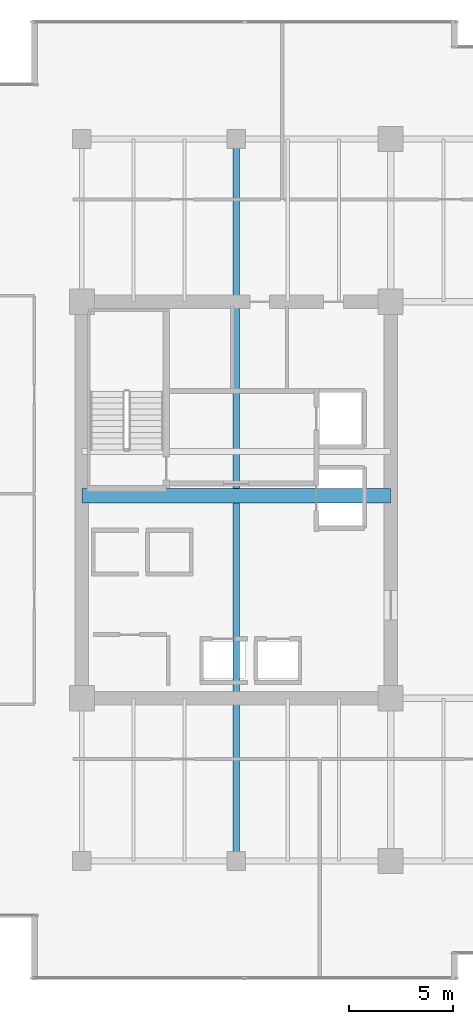
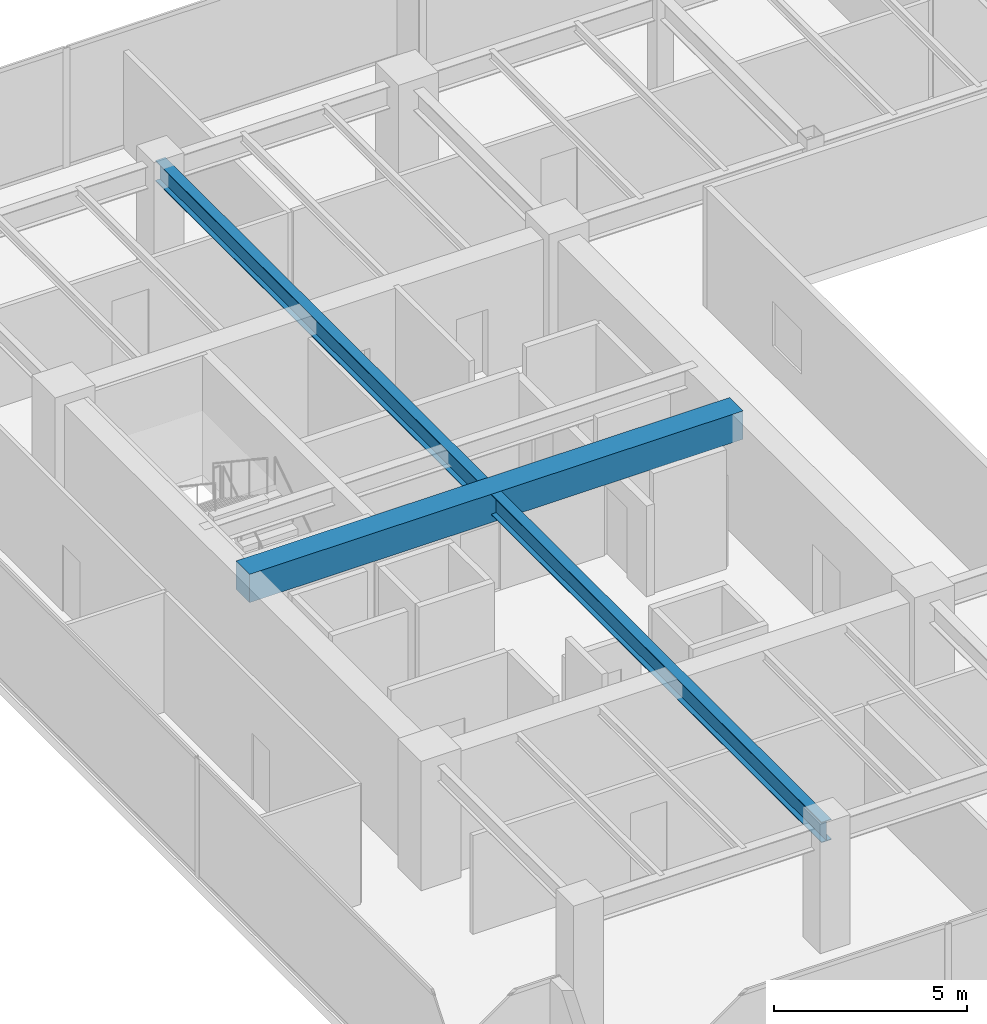
# One storey, part 7 of 30: 2 beams.
"""IFC4 building model written with IfcOpenShell, lengths in metres."""

import ifcopenshell
import ifcopenshell.guid

model = None  # the IFC model being written
_history = None  # IfcOwnerHistory: only IFC2X3 demands one
_inside = {}  # id of a spatial element -> (the spatial element, [elements in it])
_under = {}  # id of a project, library or spatial element -> (it, [spatial elements below it])
_declared = {}  # id of a project -> (the project, [libraries it declares])
_typed = {}  # id of a type object -> (the type object, [elements of that type])
_made_of = {}  # id of a material, layer set ... -> (it, [elements and type objects made of it])


def new_model(schema):
    """Start an empty IFC model of exactly this schema.

    Asked for "IFC4X3", IfcOpenShell would pick the latest addendum, in which some entities
    have other attributes; the version numbers below select the first issue.
    IFC2X3 requires an IfcOwnerHistory on every rooted entity: one is made here for all.
    """
    global model, _history
    if schema == "IFC4X3":
        model = ifcopenshell.file(schema_version=(4, 3, 0, 0))
    else:
        model = ifcopenshell.file(schema=schema)
    _inside.clear()
    _under.clear()
    _declared.clear()
    _typed.clear()
    _made_of.clear()
    _history = None
    if model.schema == "IFC2X3":
        org = make("IfcOrganization", Name="unknown")
        user = make(
            "IfcPersonAndOrganization",
            ThePerson=make("IfcPerson", FamilyName="unknown"),
            TheOrganization=org,
        )
        app = make(
            "IfcApplication",
            ApplicationDeveloper=org,
            Version="unknown",
            ApplicationFullName="unknown",
            ApplicationIdentifier="unknown",
        )
        _history = make(
            "IfcOwnerHistory",
            OwningUser=user,
            OwningApplication=app,
            ChangeAction="ADDED",
            CreationDate=0,
        )
    return model


def make(cls, **values):
    """One entity of the class cls with the attributes given. An attribute that is None is left unset."""
    return model.create_entity(
        cls, **{name: value for name, value in values.items() if value is not None}
    )


def rooted(cls, **values):
    """An entity with a GlobalId (a new one), such as an element, a storey or a relation."""
    return make(cls, GlobalId=ifcopenshell.guid.new(), OwnerHistory=_history, **values)


def si_unit(unit_type, name, prefix=None):
    """IfcSIUnit, for example si_unit("LENGTHUNIT", "METRE", prefix="MILLI")."""
    return make("IfcSIUnit", UnitType=unit_type, Prefix=prefix, Name=name)


def assignment(units):
    """IfcUnitAssignment: the units of a project."""
    return None if units is None else make("IfcUnitAssignment", Units=units)


def point(xyz):
    """IfcCartesianPoint."""
    return None if xyz is None else make("IfcCartesianPoint", Coordinates=xyz)


def direction(xyz):
    """IfcDirection."""
    return None if xyz is None else make("IfcDirection", DirectionRatios=xyz)


def frame(location, z_axis=None, x_axis=None):
    """IfcAxis2Placement3D, a coordinate frame: its origin and axes. An axis left out is left unset."""
    return make(
        "IfcAxis2Placement3D",
        Location=point(location),
        Axis=direction(z_axis),
        RefDirection=direction(x_axis),
    )


def frame_2d(location, x_axis=None):
    """IfcAxis2Placement2D, a coordinate frame in the plane: its origin and x axis."""
    return make(
        "IfcAxis2Placement2D", Location=point(location), RefDirection=direction(x_axis)
    )


def origin():
    """The frame at (0, 0, 0) with its axes left unset."""
    return frame((0.0, 0.0, 0.0))


def origin_2d():
    """The frame at (0, 0) in the plane with its x axis left unset."""
    return frame_2d((0.0, 0.0))


def place(relative_to, where):
    """IfcLocalPlacement: puts the frame where relative to a parent placement (None: the world)."""
    return make(
        "IfcLocalPlacement", PlacementRelTo=relative_to, RelativePlacement=where
    )


def context(
    kind, dimensions, precision=None, world=None, true_north=None, identifier=None
):
    """IfcGeometricRepresentationContext, for example the 3D "Model" context."""
    return make(
        "IfcGeometricRepresentationContext",
        ContextIdentifier=identifier,
        ContextType=kind,
        CoordinateSpaceDimension=dimensions,
        Precision=precision,
        WorldCoordinateSystem=world,
        TrueNorth=true_north,
    )


def subcontext(parent, identifier, kind, view, scale=None):
    """IfcGeometricRepresentationSubContext, for example "Body" below "Model"."""
    return make(
        "IfcGeometricRepresentationSubContext",
        ContextIdentifier=identifier,
        ContextType=kind,
        ParentContext=parent,
        TargetScale=scale,
        TargetView=view,
    )


def project(units=None, contexts=None):
    """IfcProject with its units and contexts."""
    return rooted(
        "IfcProject",
        Name="project",
        RepresentationContexts=contexts,
        UnitsInContext=assignment(units),
    )


def spatial(cls, under=None, at=None, **own):
    """A site, building, storey or space (cls), placed at a placement, below another one or the project."""
    s = rooted(cls, ObjectPlacement=at, **own)
    if under is not None:
        _under.setdefault(under.id(), (under, []))[1].append(s)
    return s


def profile(cls, at=None, kind="AREA", **sizes):
    """A parametric profile (cls). Its sizes go by their IFC names, for example OverallWidth=200.0."""
    return make(cls, ProfileType=kind, Position=at, **sizes)


def rectangle(**sizes):
    """IfcRectangleProfileDef."""
    return profile("IfcRectangleProfileDef", **sizes)


def i_section(**sizes):
    """IfcIShapeProfileDef."""
    return profile("IfcIShapeProfileDef", **sizes)


def extrude(swept, where, along, depth):
    """IfcExtrudedAreaSolid: the profile swept, set in the frame where, extruded along a direction by depth."""
    return make(
        "IfcExtrudedAreaSolid",
        SweptArea=swept,
        Position=where,
        ExtrudedDirection=direction(along),
        Depth=depth,
    )


def shape(context_of_items, identifier, shape_type, items):
    """IfcShapeRepresentation: the items that make up one representation, for example the "Body"."""
    return make(
        "IfcShapeRepresentation",
        ContextOfItems=context_of_items,
        RepresentationIdentifier=identifier,
        RepresentationType=shape_type,
        Items=items,
    )


def source(mapping_origin, context_of_items, identifier, shape_type, items):
    """IfcRepresentationMap: a shape defined once, which mapped items show again and again."""
    return make(
        "IfcRepresentationMap",
        MappingOrigin=mapping_origin,
        MappedRepresentation=shape(context_of_items, identifier, shape_type, items),
    )


def transform(
    local_origin,
    x_axis=None,
    y_axis=None,
    z_axis=None,
    scale=None,
    scale2=None,
    scale3=None,
    uniform=True,
):
    """IfcCartesianTransformationOperator3D, or its non-uniform kind. x_axis, y_axis, z_axis: its Axis1, 2, 3."""
    if uniform:
        return make(
            "IfcCartesianTransformationOperator3D",
            Axis1=direction(x_axis),
            Axis2=direction(y_axis),
            LocalOrigin=point(local_origin),
            Scale=scale,
            Axis3=direction(z_axis),
        )
    return make(
        "IfcCartesianTransformationOperator3DnonUniform",
        Axis1=direction(x_axis),
        Axis2=direction(y_axis),
        LocalOrigin=point(local_origin),
        Scale=scale,
        Axis3=direction(z_axis),
        Scale2=scale2,
        Scale3=scale3,
    )


def mapped(mapping_source, mapping_target):
    """IfcMappedItem: shows the shape of a source again, moved by a transform."""
    return make(
        "IfcMappedItem", MappingSource=mapping_source, MappingTarget=mapping_target
    )


def material(Name=None, Category=None):
    """IfcMaterial."""
    return make("IfcMaterial", Name=Name, Category=Category)


def material_profile(
    of_material, cross_section, Name=None, Category=None, Priority=None
):
    """IfcMaterialProfile: a cross section and its material."""
    return make(
        "IfcMaterialProfile",
        Name=Name,
        Material=of_material,
        Profile=cross_section,
        Priority=Priority,
        Category=Category,
    )


def profile_set(profiles, Name=None, composite=None):
    """IfcMaterialProfileSet."""
    return make(
        "IfcMaterialProfileSet",
        Name=Name,
        MaterialProfiles=profiles,
        CompositeProfile=composite,
    )


def made_of(thing, what):
    """Note that an element or type object is made of a material, layer set ...; save() writes the relation."""
    if what is not None:
        _made_of.setdefault(what.id(), (what, []))[1].append(thing)
    return thing


def type_object(cls, material=None, **own):
    """A type object (cls), such as IfcWallType, which elements share."""
    return made_of(rooted(cls, **own), material)


def type_shapes(of_type, sources):
    """Give a type object the sources (RepresentationMaps) that its elements show as mapped items."""
    of_type.RepresentationMaps = sources


def element(
    cls,
    number,
    at=None,
    inside=None,
    cuts=None,
    type_object=None,
    material=None,
    context=None,
    identifier="Body",
    shape_type=None,
    held_by="IfcProductDefinitionShape",
    body=None,
    shapes=None,
    **own,
):
    """One element of the class cls, such as IfcWall. Its Tag is "e" and its number.

    at: its placement. inside: the storey or other place that contains it. cuts: it is an
    opening in that element (IfcRelVoidsElement). A single representation is given by context,
    identifier, shape_type and body (its items); several are given by shapes. held_by: the class
    of the entity that holds the representations. save() writes the other relations.
    """
    e = rooted(cls, Tag="e%d" % number, ObjectPlacement=at, **own)
    if body is not None:
        shapes = [shape(context, identifier, shape_type, body)]
    if shapes is not None:
        e.Representation = make(held_by, Representations=shapes)
    if inside is not None:
        _inside.setdefault(inside.id(), (inside, []))[1].append(e)
    if cuts is not None:
        rooted(
            "IfcRelVoidsElement", RelatingBuildingElement=cuts, RelatedOpeningElement=e
        )
    if type_object is not None:
        _typed.setdefault(type_object.id(), (type_object, []))[1].append(e)
    return made_of(e, material)


def aggregate(whole, parts):
    """IfcRelAggregates: a whole, such as a stair, and the parts it consists of."""
    return rooted("IfcRelAggregates", RelatingObject=whole, RelatedObjects=parts)


def save(model, path):
    """Write the relations noted so far, then the file.

    IfcRelAggregates (storeys below a building ...), IfcRelContainedInSpatialStructure (elements
    in a storey), IfcRelDefinesByType, IfcRelAssociatesMaterial and IfcRelDeclares: one each for
    every whole, place, type object, material and project.
    """
    for whole, parts in _under.values():
        aggregate(whole, parts)
    for where, things in _inside.values():
        rooted(
            "IfcRelContainedInSpatialStructure",
            RelatedElements=things,
            RelatingStructure=where,
        )
    for kind, things in _typed.values():
        rooted("IfcRelDefinesByType", RelatedObjects=things, RelatingType=kind)
    for what, things in _made_of.values():
        rooted("IfcRelAssociatesMaterial", RelatedObjects=things, RelatingMaterial=what)
    for by, libraries in _declared.values():
        rooted("IfcRelDeclares", RelatingContext=by, RelatedDefinitions=libraries)
    model.write(path)


model = new_model("IFC4")

# Units and contexts
model_context = context("Model", 3, precision=1e-05, world=origin(), true_north=direction((0.0, 1.0)))
body_context = subcontext(model_context, "Body", "Model", "MODEL_VIEW")
ifc_project = project(units=[si_unit("LENGTHUNIT", "METRE"), si_unit("AREAUNIT", "SQUARE_METRE"), si_unit("VOLUMEUNIT", "CUBIC_METRE"), si_unit("PLANEANGLEUNIT", "RADIAN"), si_unit("MASSUNIT", "GRAM", prefix="KILO")], contexts=[model_context])

# Site, building, storey
site_placement = place(None, origin())
site = spatial("IfcSite", under=ifc_project, at=site_placement, CompositionType="ELEMENT")
building_placement = place(site_placement, origin())
building = spatial("IfcBuilding", under=site, at=building_placement, Name="Haelvirn Gate Laboratories", CompositionType="ELEMENT")
storey_placement = place(building_placement, frame((0.0, 0.0, 142.0)))
storey = spatial("IfcBuildingStorey", under=building, at=storey_placement, Name="L34", CompositionType="ELEMENT", Elevation=142.0)

# Beams
ifc_material_1 = material(Name="Concrete C60/75", Category="concrete")
ifc_material_profile_1 = material_profile(ifc_material_1, rectangle(XDim=0.699951171875, YDim=0.89990234375, at=origin_2d()), Name="RCB-700x900")
ifc_profile_set_1 = profile_set([ifc_material_profile_1], Name="Concrete C60/75")
beam_type_1 = type_object("IfcBeamType", Name="BM-RCB-900", PredefinedType="LINTEL", material=ifc_profile_set_1)
shared_shape_1 = source(origin(), body_context, "Body", "SweptSolid", [
    extrude(rectangle(XDim=0.699951171875, YDim=0.89990234375, at=origin_2d()), origin(), (0.0, 0.0, 1.0), 14.800048828125),
])
type_shapes(beam_type_1, [shared_shape_1])
beam_1_placement = place(storey_placement, frame((7.39990234375, 24.5, 3.340087890625), z_axis=(1.0, 0.0, 0.0), x_axis=(0.0, 1.0, 0.0)))
element("IfcBeam", 1, at=beam_1_placement, inside=storey, type_object=beam_type_1, Name="L34 West Core Coupling Beam", PredefinedType="LINTEL", context=body_context, shape_type="MappedRepresentation", body=[
    mapped(shared_shape_1, transform((0.0, 0.0, 0.0), scale=1.0)),
])
ifc_material_2 = material(Name="Steel SM355", Category="steel")
ifc_material_profile_2 = material_profile(ifc_material_2, i_section(OverallWidth=0.300048828125, OverallDepth=0.64990234375, WebThickness=0.012939453125, FlangeThickness=0.02197265625, at=origin_2d()), Name="H-650x300x13x22")
ifc_profile_set_2 = profile_set([ifc_material_profile_2], Name="Steel SM355")
beam_type_2 = type_object("IfcBeamType", Name="BM-G-650", PredefinedType="BEAM", material=ifc_profile_set_2)
shared_shape_2 = source(origin(), body_context, "Body", "SweptSolid", [
    extrude(i_section(OverallWidth=0.300048828125, OverallDepth=0.64990234375, WebThickness=0.012939453125, FlangeThickness=0.02197265625, at=origin_2d()), origin(), (0.0, 0.0, 1.0), 34.60009765625),
])
type_shapes(beam_type_2, [shared_shape_2])
beam_2_placement = place(storey_placement, frame((14.800048828125, 7.0, 3.465087890625), z_axis=(0.0, 1.0, 0.0), x_axis=(-1.0, 0.0, 0.0)))
element("IfcBeam", 2, at=beam_2_placement, inside=storey, type_object=beam_type_2, Name="L34 Frame Girder X14.8 (7.0-41.6)", PredefinedType="BEAM", context=body_context, shape_type="MappedRepresentation", body=[
    mapped(shared_shape_2, transform((0.0, 0.0, 0.0), scale=1.0)),
])

save(model, "model.ifc")
